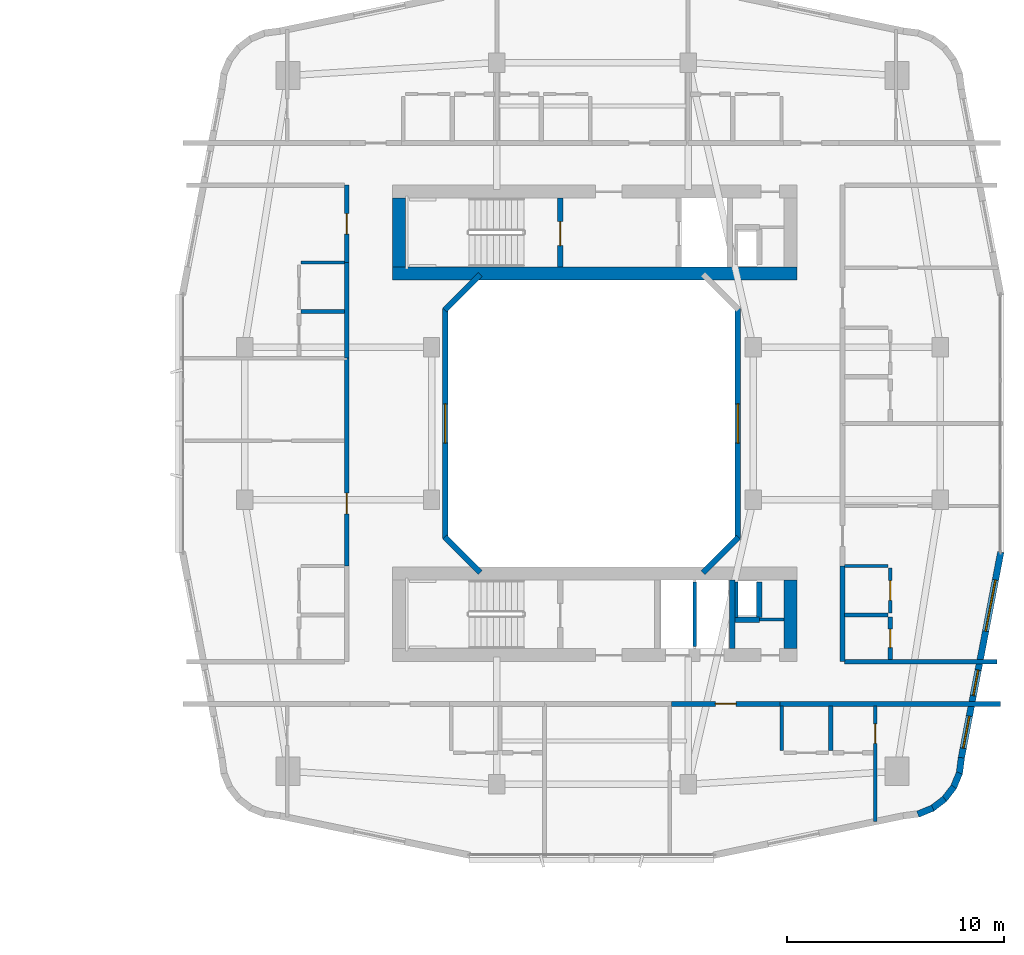
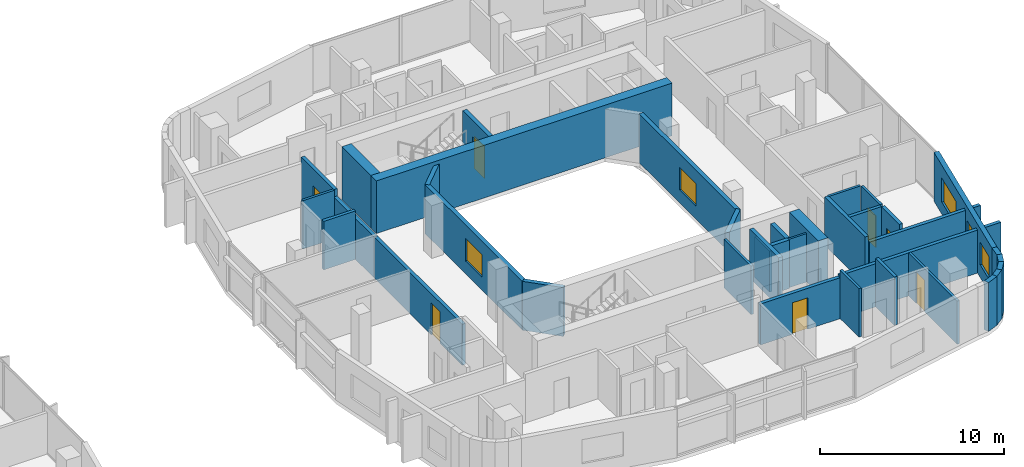
# One storey, part 19 of 27: 37 walls, 7 doors, 5 windows, 12 openings.
"""IFC4 building model written with IfcOpenShell, lengths in metres."""

from ifc_helpers import new_model, si_unit, derived_unit, direction, frame, frame_2d, origin, place, context, subcontext, project, spatial, rectangle, extrude, material, layer, layer_set, type_object, element, fill, save


model = new_model("IFC4")

# Units and contexts
model_context = context("Model", 3, precision=1e-05, world=origin(), true_north=direction((0.0, 1.0)))
body_context = subcontext(model_context, "Body", "Model", "MODEL_VIEW")
ifc_project = project(units=[si_unit("LENGTHUNIT", "METRE"), si_unit("AREAUNIT", "SQUARE_METRE"), si_unit("VOLUMEUNIT", "CUBIC_METRE"), si_unit("PLANEANGLEUNIT", "RADIAN"), si_unit("MASSUNIT", "GRAM", prefix="KILO"), derived_unit("THERMALTRANSMITTANCEUNIT", [(si_unit("POWERUNIT", "WATT"), 1), (si_unit("LENGTHUNIT", "METRE"), -2), (si_unit("THERMODYNAMICTEMPERATUREUNIT", "KELVIN"), -1)])], contexts=[model_context])

# Site, building, storey
site_placement = place(None, origin())
site = spatial("IfcSite", under=ifc_project, at=site_placement, CompositionType="ELEMENT")
building_placement = place(site_placement, origin())
building = spatial("IfcBuilding", under=site, at=building_placement, Name="Kivonza Crest Hotel", CompositionType="ELEMENT")
storey_placement = place(building_placement, frame((0.0, 0.0, 34.5)))
storey = spatial("IfcBuildingStorey", under=building, at=storey_placement, Name="L08", CompositionType="ELEMENT", Elevation=34.5)

# Wall
ifc_material_1 = material(Name="Autoclaved aerated concrete blockwork", Category="masonry")
ifc_layer_1 = layer(ifc_material_1, 0.219970703125)
ifc_layer_set_1 = layer_set([ifc_layer_1], Name="Autoclaved aerated concrete blockwork")
wall_type_1 = type_object("IfcWallType", Name="WL-ACOU-220", PredefinedType="SOLIDWALL", material=ifc_layer_set_1)
wall_1_placement = place(storey_placement, frame((85.6298828125, 12.10009765625, 0.0), z_axis=(0.0, 0.0, 1.0), x_axis=(1.0, 0.0, 0.0)))
element("IfcWall", 1, at=wall_1_placement, inside=storey, type_object=wall_type_1, Name="L08 interior partition WA-L08-A05-RCORR", PredefinedType="SOLIDWALL", context=body_context, shape_type="SweptSolid", body=[
    extrude(rectangle(XDim=10.130126953125, YDim=0.219970703125, at=frame_2d((5.06494140625, 0.0))), origin(), (0.0, 0.0, 1.0), 2.864990234375),
])

# Wall, opening, door
wall_2_placement = place(storey_placement, frame((80.6298828125, 12.10009765625, 0.0), z_axis=(0.0, 0.0, 1.0), x_axis=(1.0, 0.0, 0.0)))
wall_2 = element("IfcWall", 2, at=wall_2_placement, inside=storey, type_object=wall_type_1, Name="L08 interior partition WA-L08-A05-MCORR", PredefinedType="SOLIDWALL", context=body_context, shape_type="SweptSolid", body=[
    extrude(rectangle(XDim=5.0, YDim=0.219970703125, at=frame_2d((2.5, 0.0))), origin(), (0.0, 0.0, 1.0), 2.72509765625),
])
opening_1_placement = place(wall_2_placement, frame((2.02490234375, 0.0, 0.0)))
opening_1 = element("IfcOpeningElement", 3, at=opening_1_placement, cuts=wall_2, Name="Opening DU-60", PredefinedType="OPENING", context=body_context, shape_type="SweptSolid", body=[
    extrude(rectangle(XDim=0.949951171875, YDim=2.10009765625, at=frame_2d((0.47509765625, 1.050048828125))), frame((0.0, 0.1201171875, 0.0), z_axis=(0.0, -1.0, 0.0), x_axis=(1.0, 0.0, 0.0)), (0.0, 0.0, 1.0), 0.239990234375),
])
ifc_material_2 = material(Name="Hardwood timber oak", Category="wood")
door_type_1 = type_object("IfcDoorType", Name="DR-UNIT-950", OperationType="NOTDEFINED", PredefinedType="DOOR", material=ifc_material_2)
door_1_placement = place(opening_1_placement, frame((0.949951171875, 0.0, 0.0), z_axis=(0.0, 0.0, 1.0), x_axis=(-1.0, 0.0, 0.0)))
door_1 = element("IfcDoor", 4, at=door_1_placement, inside=storey, type_object=door_type_1, Name="L08 A05 apartment entrance fire door", OperationType="SINGLE_SWING_LEFT", OverallHeight=2.10009765625, OverallWidth=0.949951171875, PredefinedType="DOOR", context=body_context, shape_type="SweptSolid", body=[
    extrude(rectangle(XDim=0.949951171875, YDim=2.10009765625, at=frame_2d((0.47509765625, 1.050048828125))), frame((0.0, 0.02490234375, 0.0), z_axis=(0.0, -1.0, 0.0), x_axis=(1.0, 0.0, 0.0)), (0.0, 0.0, 1.0), 0.050048828125),
])
fill(opening_1, door_1)

wall_3_placement = place(storey_placement, frame((65.699951171875, 18.43994140625, 0.0), z_axis=(0.0, 0.0, 1.0), x_axis=(0.0, 1.0, 0.0)))
wall_3 = element("IfcWall", 5, at=wall_3_placement, inside=storey, type_object=wall_type_1, Name="L08 interior partition WA-L08-A06-MCORR", PredefinedType="SOLIDWALL", context=body_context, shape_type="SweptSolid", body=[
    extrude(rectangle(XDim=9.56005859375, YDim=0.219970703125, at=frame_2d((4.780029296875, 0.0))), origin(), (0.0, 0.0, 1.0), 2.72509765625),
])
opening_2_placement = place(wall_3_placement, frame((2.405029296875, 0.0, 0.0)))
opening_2 = element("IfcOpeningElement", 6, at=opening_2_placement, cuts=wall_3, Name="Opening DU-60", PredefinedType="OPENING", context=body_context, shape_type="SweptSolid", body=[
    extrude(rectangle(XDim=0.949951171875, YDim=2.10009765625, at=frame_2d((0.47509765625, 1.050048828125))), frame((0.0, 0.1201171875, 0.0), z_axis=(0.0, -1.0, 0.0), x_axis=(1.0, 0.0, 0.0)), (0.0, 0.0, 1.0), 0.239990234375),
])
door_2_placement = place(opening_2_placement, origin())
door_2 = element("IfcDoor", 7, at=door_2_placement, inside=storey, type_object=door_type_1, Name="L08 A06 apartment entrance fire door", OperationType="SINGLE_SWING_RIGHT", OverallHeight=2.10009765625, OverallWidth=0.949951171875, PredefinedType="DOOR", context=body_context, shape_type="SweptSolid", body=[
    extrude(rectangle(XDim=0.949951171875, YDim=2.10009765625, at=frame_2d((0.47509765625, 1.050048828125))), frame((0.0, 0.02490234375, 0.0), z_axis=(0.0, -1.0, 0.0), x_axis=(1.0, 0.0, 0.0)), (0.0, 0.0, 1.0), 0.050048828125),
])
fill(opening_2, door_2)

# Wall
wall_4_placement = place(storey_placement, frame((65.699951171875, 28.0, 0.0), z_axis=(0.0, 0.0, 1.0), x_axis=(0.0, 1.0, 0.0)))
element("IfcWall", 8, at=wall_4_placement, inside=storey, type_object=wall_type_1, Name="L08 interior partition WA-L08-A07-BCORR", PredefinedType="SOLIDWALL", context=body_context, shape_type="SweptSolid", body=[
    extrude(rectangle(XDim=4.39990234375, YDim=0.219970703125, at=frame_2d((2.199951171875, 0.0))), origin(), (0.0, 0.0, 1.0), 2.72509765625),
])

# Wall, opening, door
wall_5_placement = place(storey_placement, frame((65.699951171875, 32.39990234375, 0.0), z_axis=(0.0, 0.0, 1.0), x_axis=(0.0, 1.0, 0.0)))
wall_5 = element("IfcWall", 9, at=wall_5_placement, inside=storey, type_object=wall_type_1, Name="L08 interior partition WA-L08-A07-MCORR", PredefinedType="SOLIDWALL", context=body_context, shape_type="SweptSolid", body=[
    extrude(rectangle(XDim=3.56005859375, YDim=0.219970703125, at=frame_2d((1.780029296875, 0.0))), origin(), (0.0, 0.0, 1.0), 3.219970703125),
])
opening_3_placement = place(wall_5_placement, frame((1.304931640625, 0.0, 0.0)))
opening_3 = element("IfcOpeningElement", 10, at=opening_3_placement, cuts=wall_5, Name="Opening DU-60", PredefinedType="OPENING", context=body_context, shape_type="SweptSolid", body=[
    extrude(rectangle(XDim=0.949951171875, YDim=2.10009765625, at=frame_2d((0.47509765625, 1.050048828125))), frame((0.0, 0.1201171875, 0.0), z_axis=(0.0, -1.0, 0.0), x_axis=(1.0, 0.0, 0.0)), (0.0, 0.0, 1.0), 0.239990234375),
])
door_3_placement = place(opening_3_placement, origin())
door_3 = element("IfcDoor", 11, at=door_3_placement, inside=storey, type_object=door_type_1, Name="L08 A07 apartment entrance fire door", OperationType="SINGLE_SWING_LEFT", OverallHeight=2.10009765625, OverallWidth=0.949951171875, PredefinedType="DOOR", context=body_context, shape_type="SweptSolid", body=[
    extrude(rectangle(XDim=0.949951171875, YDim=2.10009765625, at=frame_2d((0.47509765625, 1.050048828125))), frame((0.0, 0.02490234375, 0.0), z_axis=(0.0, -1.0, 0.0), x_axis=(1.0, 0.0, 0.0)), (0.0, 0.0, 1.0), 0.050048828125),
])
fill(opening_3, door_3)

# Walls
wall_6_placement = place(storey_placement, frame((88.60009765625, 14.0400390625, 0.0), z_axis=(0.0, 0.0, 1.0), x_axis=(1.0, 0.0, 0.0)))
element("IfcWall", 12, at=wall_6_placement, inside=storey, type_object=wall_type_1, Name="L08 interior partition WA-L08-T2E-ENDS", PredefinedType="SOLIDWALL", context=body_context, shape_type="SweptSolid", body=[
    extrude(rectangle(XDim=7.0, YDim=0.219970703125, at=frame_2d((3.5, 0.0))), origin(), (0.0, 0.0, 1.0), 2.864990234375),
])
wall_7_placement = place(storey_placement, frame((88.5, 14.0400390625, 0.0), z_axis=(0.0, 0.0, 1.0), x_axis=(0.0, 1.0, 0.0)))
element("IfcWall", 13, at=wall_7_placement, inside=storey, type_object=wall_type_1, Name="L08 interior partition WA-L08-A08-BCORR", PredefinedType="SOLIDWALL", context=body_context, shape_type="SweptSolid", body=[
    extrude(rectangle(XDim=4.39990234375, YDim=0.219970703125, at=frame_2d((2.199951171875, 0.0))), origin(), (0.0, 0.0, 1.0), 3.219970703125),
])
ifc_material_3 = material(Name="Concrete C60/75", Category="concrete")
ifc_layer_2 = layer(ifc_material_3, 0.60009765625)
ifc_layer_set_2 = layer_set([ifc_layer_2], Name="Concrete C60/75")
wall_type_2 = type_object("IfcWallType", Name="WL-CORE-600", PredefinedType="SHEAR", material=ifc_layer_set_2)
wall_8_placement = place(storey_placement, frame((67.800048828125, 31.89990234375, 0.0), z_axis=(0.0, 0.0, 1.0), x_axis=(1.0, 0.0, 0.0)))
element("IfcWall", 14, at=wall_8_placement, inside=storey, type_object=wall_type_2, Name="Core wall T2-N South L08", PredefinedType="SHEAR", context=body_context, shape_type="SweptSolid", body=[
    extrude(rectangle(XDim=18.599853515625, YDim=0.60009765625, at=frame_2d((9.2998046875, 0.0))), origin(), (0.0, 0.0, 1.0), 3.5),
])
for number, where, z_axis, x_axis, name in (
    (15, (68.10009765625, 32.199951171875, 0.0), (0.0, 0.0, 1.0), (0.0, 1.0, 0.0), "Core wall T2-N West L08"),
    (16, (86.10009765625, 14.639892578125, 0.0), (0.0, 0.0, 1.0), (0.0, 1.0, 0.0), "Core wall T2-S East L08"),
):
    element("IfcWall", number, at=place(storey_placement, frame(where, z_axis=z_axis, x_axis=x_axis)), inside=storey, type_object=wall_type_2, Name=name, PredefinedType="SHEAR", context=body_context, shape_type="SweptSolid", body=[
        extrude(rectangle(XDim=3.16015625, YDim=0.60009765625, at=frame_2d((1.580078125, 0.0))), origin(), (0.0, 0.0, 1.0), 3.5),
    ])
ifc_material_4 = material(Name="Precast concrete C40/50", Category="concrete")
ifc_layer_3 = layer(ifc_material_4, 0.260009765625)
ifc_layer_set_3 = layer_set([ifc_layer_3], Name="Precast concrete C40/50")
wall_type_3 = type_object("IfcWallType", Name="WL-EXT-260", PredefinedType="STANDARD", material=ifc_layer_set_3)
wall_9_placement = place(storey_placement, frame((82.08203125, 18.137939453125, 0.0), z_axis=(0.0, 0.0, 1.0), x_axis=(0.707106781187, 0.707106781187, 0.0)))
element("IfcWall", 17, at=wall_9_placement, inside=storey, type_object=wall_type_3, Name="L08 T2 light-well exterior wall 2", PredefinedType="STANDARD", context=body_context, shape_type="SweptSolid", body=[
    extrude(rectangle(XDim=2.310791015625, YDim=0.260009765625, at=frame_2d((1.1552734375, 0.0))), origin(), (0.0, 0.0, 1.0), 3.25),
])

# Wall, opening, window
wall_10_placement = place(storey_placement, frame((83.68994140625, 19.7099609375, 0.0), z_axis=(0.0, 0.0, 1.0), x_axis=(0.0, 1.0, 0.0)))
wall_10 = element("IfcWall", 18, at=wall_10_placement, inside=storey, type_object=wall_type_3, Name="L08 T2 light-well exterior wall 3", PredefinedType="STANDARD", context=body_context, shape_type="SweptSolid", body=[
    extrude(rectangle(XDim=10.580078125, YDim=0.260009765625, at=frame_2d((5.2900390625, 0.0))), origin(), (0.0, 0.0, 1.0), 3.25),
])
opening_4_placement = place(wall_10_placement, frame((4.389892578125, 0.0, 0.85009765625)))
opening_4 = element("IfcOpeningElement", 19, at=opening_4_placement, cuts=wall_10, Name="Opening WN-03", PredefinedType="OPENING", context=body_context, shape_type="SweptSolid", body=[
    extrude(rectangle(XDim=1.800048828125, YDim=1.5, at=frame_2d((0.89990234375, 0.75))), frame((0.0, 0.14013671875, 0.0), z_axis=(0.0, -1.0, 0.0), x_axis=(1.0, 0.0, 0.0)), (0.0, 0.0, 1.0), 0.280029296875),
])
ifc_material_5 = material(Name="Thermally broken bronze aluminium and low-E double glazing", Category="aluminium")
window_type_1 = type_object("IfcWindowType", Name="WN-180x150", PartitioningType="DOUBLE_PANEL_VERTICAL", PredefinedType="WINDOW", material=ifc_material_5)
window_1_placement = place(opening_4_placement, origin())
window_1 = element("IfcWindow", 20, at=window_1_placement, inside=storey, type_object=window_type_1, Name="L08 T2 light-well window 3", OverallHeight=1.5, OverallWidth=1.800048828125, PartitioningType="SINGLE_PANEL", PredefinedType="WINDOW", context=body_context, shape_type="SweptSolid", body=[
    extrude(rectangle(XDim=1.800048828125, YDim=1.5, at=frame_2d((0.89990234375, 0.75))), frame((0.0, 0.030029296875, 0.0), z_axis=(0.0, -1.0, 0.0), x_axis=(1.0, 0.0, 0.0)), (0.0, 0.0, 1.0), 0.06005859375),
])
fill(opening_4, window_1)

# Wall
wall_11_placement = place(storey_placement, frame((71.837890625, 31.862060546875, 0.0), z_axis=(0.0, 0.0, 1.0), x_axis=(-0.707053950914, -0.707159607512, 0.0)))
element("IfcWall", 21, at=wall_11_placement, inside=storey, type_object=wall_type_3, Name="L08 T2 light-well exterior wall 6", PredefinedType="STANDARD", context=body_context, shape_type="SweptSolid", body=[
    extrude(rectangle(XDim=2.310791015625, YDim=0.260009765625, at=frame_2d((1.1552734375, 0.0))), origin(), (0.0, 0.0, 1.0), 3.25),
])

# Wall, opening, window
wall_12_placement = place(storey_placement, frame((70.22998046875, 30.2900390625, 0.0), z_axis=(0.0, 0.0, 1.0), x_axis=(0.0, -1.0, 0.0)))
wall_12 = element("IfcWall", 22, at=wall_12_placement, inside=storey, type_object=wall_type_3, Name="L08 T2 light-well exterior wall 7", PredefinedType="STANDARD", context=body_context, shape_type="SweptSolid", body=[
    extrude(rectangle(XDim=10.580078125, YDim=0.260009765625, at=frame_2d((5.2900390625, 0.0))), origin(), (0.0, 0.0, 1.0), 3.25),
])
opening_5_placement = place(wall_12_placement, frame((4.389892578125, 0.0, 0.85009765625)))
opening_5 = element("IfcOpeningElement", 23, at=opening_5_placement, cuts=wall_12, Name="Opening WN-03", PredefinedType="OPENING", context=body_context, shape_type="SweptSolid", body=[
    extrude(rectangle(XDim=1.800048828125, YDim=1.5, at=frame_2d((0.89990234375, 0.75))), frame((0.0, 0.14013671875, 0.0), z_axis=(0.0, -1.0, 0.0), x_axis=(1.0, 0.0, 0.0)), (0.0, 0.0, 1.0), 0.280029296875),
])
window_2_placement = place(opening_5_placement, origin())
window_2 = element("IfcWindow", 24, at=window_2_placement, inside=storey, type_object=window_type_1, Name="L08 T2 light-well window 7", OverallHeight=1.5, OverallWidth=1.800048828125, PartitioningType="SINGLE_PANEL", PredefinedType="WINDOW", context=body_context, shape_type="SweptSolid", body=[
    extrude(rectangle(XDim=1.800048828125, YDim=1.5, at=frame_2d((0.89990234375, 0.75))), frame((0.0, 0.030029296875, 0.0), z_axis=(0.0, -1.0, 0.0), x_axis=(1.0, 0.0, 0.0)), (0.0, 0.0, 1.0), 0.06005859375),
])
fill(opening_5, window_2)

# Walls
wall_13_placement = place(storey_placement, frame((70.2041015625, 19.77197265625, 0.0), z_axis=(0.0, 0.0, 1.0), x_axis=(0.707053950914, -0.707159607512, 0.0)))
element("IfcWall", 25, at=wall_13_placement, inside=storey, type_object=wall_type_3, Name="L08 T2 light-well exterior wall 8", PredefinedType="STANDARD", context=body_context, shape_type="SweptSolid", body=[
    extrude(rectangle(XDim=2.310791015625, YDim=0.260009765625, at=frame_2d((1.1552734375, 0.0))), origin(), (0.0, 0.0, 1.0), 3.25),
])
ifc_layer_4 = layer(ifc_material_4, 0.300048828125)
ifc_layer_set_4 = layer_set([ifc_layer_4], Name="Precast concrete C40/50")
wall_type_4 = type_object("IfcWallType", Name="WL-EXT-300", PredefinedType="STANDARD", material=ifc_layer_set_4)
for number, where, z_axis, x_axis, name in (
    (26, (91.965087890625, 7.02392578125, 0.0), (0.0, 0.0, 1.0), (0.923521684703, 0.383546213491, 0.0), "L08 T2 exterior insulated wall 11"),
    (27, (92.60888671875, 7.279052734375, 0.0), (0.0, 0.0, 1.0), (0.79363269798, 0.608397189915, 0.0), "L08 T2 exterior insulated wall 12"),
    (28, (93.166015625, 7.69091796875, 0.0), (0.0, 0.0, 1.0), (0.608603261071, 0.793474681772, 0.0), "L08 T2 exterior insulated wall 13"),
):
    element("IfcWall", number, at=place(storey_placement, frame(where, z_axis=z_axis, x_axis=x_axis)), inside=storey, type_object=wall_type_4, Name=name, PredefinedType="STANDARD", context=body_context, shape_type="SweptSolid", body=[
        extrude(rectangle(XDim=0.74609375, YDim=0.300048828125, at=frame_2d((0.373046875, 0.0))), origin(), (0.0, 0.0, 1.0), 3.25),
    ])
wall_14_placement = place(storey_placement, frame((93.595947265625, 8.23388671875, 0.0), z_axis=(0.0, 0.0, 1.0), x_axis=(0.383430326427, 0.923569805037, 0.0)))
element("IfcWall", 29, at=wall_14_placement, inside=storey, type_object=wall_type_4, Name="L08 T2 exterior insulated wall 14", PredefinedType="STANDARD", context=body_context, shape_type="SweptSolid", body=[
    extrude(rectangle(XDim=0.746337890625, YDim=0.300048828125, at=frame_2d((0.373046875, 0.0))), origin(), (0.0, 0.0, 1.0), 3.25),
])
wall_15_placement = place(storey_placement, frame((93.873046875, 8.868896484375, 0.0), z_axis=(0.0, 0.0, 1.0), x_axis=(0.129339184068, 0.991600411186, 0.0)))
element("IfcWall", 30, at=wall_15_placement, inside=storey, type_object=wall_type_4, Name="L08 T2 exterior insulated wall 15", PredefinedType="STANDARD", context=body_context, shape_type="SweptSolid", body=[
    extrude(rectangle(XDim=0.764404296875, YDim=0.300048828125, at=frame_2d((0.38232421875, 0.0))), origin(), (0.0, 0.0, 1.0), 3.25),
])

# Wall, openings, windows
wall_16_placement = place(storey_placement, frame((93.970947265625, 9.6201171875, 0.0), z_axis=(0.0, 0.0, 1.0), x_axis=(0.188087874316, 0.982152203854, 0.0)))
wall_16 = element("IfcWall", 31, at=wall_16_placement, inside=storey, type_object=wall_type_4, Name="L08 T2 exterior insulated wall 16", PredefinedType="STANDARD", context=body_context, shape_type="SweptSolid", body=[
    extrude(rectangle(XDim=9.6337890625, YDim=0.300048828125, at=frame_2d((4.81689453125, 0.0))), origin(), (0.0, 0.0, 1.0), 3.25),
])
opening_6_placement = place(wall_16_placement, frame((0.451904296875, 0.0, 0.85009765625)))
opening_6 = element("IfcOpeningElement", 32, at=opening_6_placement, cuts=wall_16, Name="Opening WN-02", PredefinedType="OPENING", context=body_context, shape_type="SweptSolid", body=[
    extrude(rectangle(XDim=1.5, YDim=1.5, at=frame_2d((0.75, 0.75))), frame((0.0, 0.16015625, 0.0), z_axis=(0.0, -1.0, 0.0), x_axis=(1.0, 0.0, 0.0)), (0.0, 0.0, 1.0), 0.320068359375),
])
opening_7_placement = place(wall_16_placement, frame((2.9130859375, 0.0, 0.85009765625)))
opening_7 = element("IfcOpeningElement", 33, at=opening_7_placement, cuts=wall_16, Name="Opening WN-01", PredefinedType="OPENING", context=body_context, shape_type="SweptSolid", body=[
    extrude(rectangle(XDim=1.199951171875, YDim=1.5, at=frame_2d((0.60009765625, 0.75))), frame((0.0, 0.16015625, 0.0), z_axis=(0.0, -1.0, 0.0), x_axis=(1.0, 0.0, 0.0)), (0.0, 0.0, 1.0), 0.320068359375),
])
opening_8_placement = place(wall_16_placement, frame((5.927978515625, 0.0, 0.800048828125)))
opening_8 = element("IfcOpeningElement", 34, at=opening_8_placement, cuts=wall_16, Name="Opening WN-05", PredefinedType="OPENING", context=body_context, shape_type="SweptSolid", body=[
    extrude(rectangle(XDim=2.39990234375, YDim=1.60009765625, at=frame_2d((1.199951171875, 0.800048828125))), frame((0.0, 0.16015625, 0.0), z_axis=(0.0, -1.0, 0.0), x_axis=(1.0, 0.0, 0.0)), (0.0, 0.0, 1.0), 0.320068359375),
])
window_type_2 = type_object("IfcWindowType", Name="WN-120x150", PartitioningType="SINGLE_PANEL", PredefinedType="WINDOW", material=ifc_material_5)
window_3_placement = place(opening_7_placement, origin())
window_3 = element("IfcWindow", 35, at=window_3_placement, inside=storey, type_object=window_type_2, Name="L08 T2 facade window 16 bay 2", OverallHeight=1.5, OverallWidth=1.199951171875, PartitioningType="SINGLE_PANEL", PredefinedType="WINDOW", context=body_context, shape_type="SweptSolid", body=[
    extrude(rectangle(XDim=1.199951171875, YDim=1.5, at=frame_2d((0.60009765625, 0.75))), frame((0.0, 0.030029296875, 0.0), z_axis=(0.0, -1.0, 0.0), x_axis=(1.0, 0.0, 0.0)), (0.0, 0.0, 1.0), 0.06005859375),
])
fill(opening_7, window_3)
window_type_3 = type_object("IfcWindowType", Name="WN-150x150", PartitioningType="DOUBLE_PANEL_VERTICAL", PredefinedType="WINDOW", material=ifc_material_5)
window_4_placement = place(opening_6_placement, origin())
window_4 = element("IfcWindow", 36, at=window_4_placement, inside=storey, type_object=window_type_3, Name="L08 T2 facade window 16 bay 1", OverallHeight=1.5, OverallWidth=1.5, PartitioningType="SINGLE_PANEL", PredefinedType="WINDOW", context=body_context, shape_type="SweptSolid", body=[
    extrude(rectangle(XDim=1.5, YDim=1.5, at=frame_2d((0.75, 0.75))), frame((0.0, 0.030029296875, 0.0), z_axis=(0.0, -1.0, 0.0), x_axis=(1.0, 0.0, 0.0)), (0.0, 0.0, 1.0), 0.06005859375),
])
fill(opening_6, window_4)
window_type_4 = type_object("IfcWindowType", Name="WN-240x160", PartitioningType="TRIPLE_PANEL_VERTICAL", PredefinedType="WINDOW", material=ifc_material_5)
window_5_placement = place(opening_8_placement, origin())
window_5 = element("IfcWindow", 37, at=window_5_placement, inside=storey, type_object=window_type_4, Name="L08 T2 facade window 16 bay 3", OverallHeight=1.60009765625, OverallWidth=2.39990234375, PartitioningType="SINGLE_PANEL", PredefinedType="WINDOW", context=body_context, shape_type="SweptSolid", body=[
    extrude(rectangle(XDim=2.39990234375, YDim=1.60009765625, at=frame_2d((1.199951171875, 0.800048828125))), frame((0.0, 0.030029296875, 0.0), z_axis=(0.0, -1.0, 0.0), x_axis=(1.0, 0.0, 0.0)), (0.0, 0.0, 1.0), 0.06005859375),
])
fill(opening_8, window_5)

# Walls
ifc_material_6 = material(Name="Concrete blockwork fire-compartment wall", Category="masonry")
ifc_layer_5 = layer(ifc_material_6, 0.25)
ifc_layer_set_5 = layer_set([ifc_layer_5], Name="Concrete blockwork fire-compartment wall")
wall_type_5 = type_object("IfcWallType", Name="WL-FIRE-250", PredefinedType="SOLIDWALL", material=ifc_layer_set_5)
wall_17_placement = place(storey_placement, frame((84.679931640625, 16.080078125, 0.0), z_axis=(0.0, 0.0, 1.0), x_axis=(0.0, 1.0, 0.0)))
element("IfcWall", 38, at=wall_17_placement, inside=storey, type_object=wall_type_5, Name="L08 interior partition WA-L08-T2-S-MEPR-E", PredefinedType="SOLIDWALL", context=body_context, shape_type="SweptSolid", body=[
    extrude(rectangle(XDim=1.619873046875, YDim=0.25, at=frame_2d((0.81005859375, 0.0))), origin(), (0.0, 0.0, 1.0), 3.219970703125),
])
wall_18_placement = place(storey_placement, frame((83.550048828125, 15.97998046875, 0.0), z_axis=(0.0, 0.0, 1.0), x_axis=(1.0, 0.0, 0.0)))
element("IfcWall", 39, at=wall_18_placement, inside=storey, type_object=wall_type_5, Name="L08 interior partition WA-L08-T2-S-MEPR-H", PredefinedType="SOLIDWALL", context=body_context, shape_type="SweptSolid", body=[
    extrude(rectangle(XDim=1.1298828125, YDim=0.25, at=frame_2d((0.56494140625, 0.0))), origin(), (0.0, 0.0, 1.0), 3.219970703125),
])
ifc_material_7 = material(Name="Metal-stud gypsum board partition", Category="gypsum")
ifc_layer_6 = layer(ifc_material_7, 0.125)
ifc_layer_set_6 = layer_set([ifc_layer_6], Name="Metal-stud gypsum board partition")
wall_type_6 = type_object("IfcWallType", Name="WL-PART-125", PredefinedType="PARTITIONING", material=ifc_layer_set_6)
wall_19_placement = place(storey_placement, frame((84.679931640625, 15.97998046875, 0.0), z_axis=(0.0, 0.0, 1.0), x_axis=(1.0, 0.0, 0.0)))
element("IfcWall", 40, at=wall_19_placement, inside=storey, type_object=wall_type_6, Name="L08 interior partition WP-L08-T2-S-T2H", PredefinedType="PARTITIONING", context=body_context, shape_type="SweptSolid", body=[
    extrude(rectangle(XDim=1.1201171875, YDim=0.125, at=frame_2d((0.56005859375, 0.0))), origin(), (0.0, 0.0, 1.0), 3.219970703125),
])
ifc_material_8 = material(Name="Twin-stud acoustic gypsum board partition", Category="gypsum")
ifc_layer_7 = layer(ifc_material_8, 0.14990234375)
ifc_layer_set_7 = layer_set([ifc_layer_7], Name="Twin-stud acoustic gypsum board partition")
wall_type_7 = type_object("IfcWallType", Name="WL-PART-150", PredefinedType="PARTITIONING", material=ifc_layer_set_7)
wall_20_placement = place(storey_placement, frame((83.6298828125, 16.080078125, 0.0), z_axis=(0.0, 0.0, 1.0), x_axis=(0.0, 1.0, 0.0)))
element("IfcWall", 41, at=wall_20_placement, inside=storey, type_object=wall_type_7, Name="L08 interior partition WA-L08-T2-S-MEPR-W", PredefinedType="PARTITIONING", context=body_context, shape_type="SweptSolid", body=[
    extrude(rectangle(XDim=1.619873046875, YDim=0.14990234375, at=frame_2d((0.81005859375, 0.0))), origin(), (0.0, 0.0, 1.0), 2.72509765625),
])
wall_21_placement = place(storey_placement, frame((81.699951171875, 14.739990234375, 0.0), z_axis=(0.0, 0.0, 1.0), x_axis=(0.0, 1.0, 0.0)))
element("IfcWall", 42, at=wall_21_placement, inside=storey, type_object=wall_type_7, Name="L08 interior partition WP-L08-T2-S-BSH-1", PredefinedType="PARTITIONING", context=body_context, shape_type="SweptSolid", body=[
    extrude(rectangle(XDim=2.9599609375, YDim=0.14990234375, at=frame_2d((1.47998046875, 0.0))), origin(), (0.0, 0.0, 1.0), 3.219970703125),
])

# Wall, opening, door
wall_22_placement = place(storey_placement, frame((90.010009765625, 6.68896484375, 0.0), z_axis=(0.0, 0.0, 1.0), x_axis=(0.0, 1.0, 0.0)))
wall_22 = element("IfcWall", 43, at=wall_22_placement, inside=storey, type_object=wall_type_7, Name="L08 interior partition WP-L08-A05-BDW2", PredefinedType="PARTITIONING", context=body_context, shape_type="SweptSolid", body=[
    extrude(rectangle(XDim=5.31103515625, YDim=0.14990234375, at=frame_2d((2.655517578125, 0.0))), origin(), (0.0, 0.0, 1.0), 2.864990234375),
])
opening_9_placement = place(wall_22_placement, frame((3.590087890625, 0.0, 0.0)))
opening_9 = element("IfcOpeningElement", 44, at=opening_9_placement, cuts=wall_22, Name="Opening DI-90", PredefinedType="OPENING", context=body_context, shape_type="SweptSolid", body=[
    extrude(rectangle(XDim=0.89990234375, YDim=2.10009765625, at=frame_2d((0.449951171875, 1.050048828125))), frame((0.0, 0.0849609375, 0.0), z_axis=(0.0, -1.0, 0.0), x_axis=(1.0, 0.0, 0.0)), (0.0, 0.0, 1.0), 0.169921875),
])
door_type_2 = type_object("IfcDoorType", Name="DR-INT-900", OperationType="NOTDEFINED", PredefinedType="DOOR", material=ifc_material_2)
door_4_placement = place(opening_9_placement, origin())
door_4 = element("IfcDoor", 45, at=door_4_placement, inside=storey, type_object=door_type_2, Name="L08 A05 bedroom 2 door", OperationType="SINGLE_SWING_LEFT", OverallHeight=2.10009765625, OverallWidth=0.89990234375, PredefinedType="DOOR", context=body_context, shape_type="SweptSolid", body=[
    extrude(rectangle(XDim=0.89990234375, YDim=2.10009765625, at=frame_2d((0.449951171875, 1.050048828125))), frame((0.0, 0.02490234375, 0.0), z_axis=(0.0, -1.0, 0.0), x_axis=(1.0, 0.0, 0.0)), (0.0, 0.0, 1.0), 0.050048828125),
])
fill(opening_9, door_4)

# Walls
wall_23_placement = place(storey_placement, frame((85.7099609375, 9.949951171875, 0.0), z_axis=(0.0, 0.0, 1.0), x_axis=(0.0, 1.0, 0.0)))
element("IfcWall", 46, at=wall_23_placement, inside=storey, type_object=wall_type_7, Name="L08 interior partition WP-L08-A05-KF", PredefinedType="PARTITIONING", context=body_context, shape_type="SweptSolid", body=[
    extrude(rectangle(XDim=2.050048828125, YDim=0.14990234375, at=frame_2d((1.02490234375, 0.0))), origin(), (0.0, 0.0, 1.0), 3.219970703125),
])
for number, where, z_axis, x_axis, name in (
    (47, (63.60009765625, 32.39990234375, 0.0), (0.0, 0.0, 1.0), (1.0, 0.0, 0.0), "L08 interior partition WP-L08-A07-KF"),
    (48, (88.60009765625, 18.43994140625, 0.0), (0.0, 0.0, 1.0), (1.0, 0.0, 0.0), "L08 interior partition WP-L08-A08-KF"),
):
    element("IfcWall", number, at=place(storey_placement, frame(where, z_axis=z_axis, x_axis=x_axis)), inside=storey, type_object=wall_type_7, Name=name, PredefinedType="PARTITIONING", context=body_context, shape_type="SweptSolid", body=[
        extrude(rectangle(XDim=2.0, YDim=0.14990234375, at=frame_2d((1.0, 0.0))), origin(), (0.0, 0.0, 1.0), 3.219970703125),
    ])

# Wall, opening, door
wall_24_placement = place(storey_placement, frame((90.699951171875, 16.2900390625, 0.0), z_axis=(0.0, 0.0, 1.0), x_axis=(0.0, 1.0, 0.0)))
wall_24 = element("IfcWall", 49, at=wall_24_placement, inside=storey, type_object=wall_type_7, Name="L08 interior partition WP-L08-A08-KSVC", PredefinedType="PARTITIONING", context=body_context, shape_type="SweptSolid", body=[
    extrude(rectangle(XDim=2.050048828125, YDim=0.14990234375, at=frame_2d((1.02490234375, 0.0))), origin(), (0.0, 0.0, 1.0), 3.219970703125),
])
opening_10_placement = place(wall_24_placement, frame((0.574951171875, 0.0, 0.0)))
opening_10 = element("IfcOpeningElement", 50, at=opening_10_placement, cuts=wall_24, Name="Opening DI-90", PredefinedType="OPENING", context=body_context, shape_type="SweptSolid", body=[
    extrude(rectangle(XDim=0.89990234375, YDim=2.10009765625, at=frame_2d((0.449951171875, 1.050048828125))), frame((0.0, 0.0849609375, 0.0), z_axis=(0.0, -1.0, 0.0), x_axis=(1.0, 0.0, 0.0)), (0.0, 0.0, 1.0), 0.169921875),
])
door_5_placement = place(opening_10_placement, frame((0.89990234375, 0.0, 0.0), z_axis=(0.0, 0.0, 1.0), x_axis=(-1.0, 0.0, 0.0)))
door_5 = element("IfcDoor", 51, at=door_5_placement, inside=storey, type_object=door_type_2, Name="L08 A08 apartment kitchen door", OperationType="SINGLE_SWING_RIGHT", OverallHeight=2.10009765625, OverallWidth=0.89990234375, PredefinedType="DOOR", context=body_context, shape_type="SweptSolid", body=[
    extrude(rectangle(XDim=0.89990234375, YDim=2.10009765625, at=frame_2d((0.449951171875, 1.050048828125))), frame((0.0, 0.02490234375, 0.0), z_axis=(0.0, -1.0, 0.0), x_axis=(1.0, 0.0, 0.0)), (0.0, 0.0, 1.0), 0.050048828125),
])
fill(opening_10, door_5)

# Walls
ifc_material_9 = material(Name="Moisture-resistant plumbing chase partition wall", Category="gypsum")
ifc_layer_8 = layer(ifc_material_9, 0.199951171875)
ifc_layer_set_8 = layer_set([ifc_layer_8], Name="Moisture-resistant plumbing chase partition wall")
wall_type_8 = type_object("IfcWallType", Name="WL-PLUMB-200", PredefinedType="PLUMBINGWALL", material=ifc_layer_set_8)
wall_25_placement = place(storey_placement, frame((87.9599609375, 9.949951171875, 0.0), z_axis=(0.0, 0.0, 1.0), x_axis=(0.0, 1.0, 0.0)))
element("IfcWall", 52, at=wall_25_placement, inside=storey, type_object=wall_type_8, Name="L08 interior partition WW-L08-A05-BK", PredefinedType="PLUMBINGWALL", context=body_context, shape_type="SweptSolid", body=[
    extrude(rectangle(XDim=2.050048828125, YDim=0.199951171875, at=frame_2d((1.02490234375, 0.0))), origin(), (0.0, 0.0, 1.0), 3.219970703125),
])
for number, where, z_axis, x_axis, name in (
    (53, (63.60009765625, 30.14990234375, 0.0), (0.0, 0.0, 1.0), (1.0, 0.0, 0.0), "L08 interior partition WW-L08-A07-BK"),
    (54, (88.60009765625, 16.18994140625, 0.0), (0.0, 0.0, 1.0), (1.0, 0.0, 0.0), "L08 interior partition WW-L08-A08-BK"),
):
    element("IfcWall", number, at=place(storey_placement, frame(where, z_axis=z_axis, x_axis=x_axis)), inside=storey, type_object=wall_type_8, Name=name, PredefinedType="PLUMBINGWALL", context=body_context, shape_type="SweptSolid", body=[
        extrude(rectangle(XDim=2.0, YDim=0.199951171875, at=frame_2d((1.0, 0.0))), origin(), (0.0, 0.0, 1.0), 3.219970703125),
    ])

# Wall, opening, door
wall_26_placement = place(storey_placement, frame((90.699951171875, 14.139892578125, 0.0), z_axis=(0.0, 0.0, 1.0), x_axis=(0.0, 1.0, 0.0)))
wall_26 = element("IfcWall", 55, at=wall_26_placement, inside=storey, type_object=wall_type_8, Name="L08 interior partition WW-L08-A08-BSVC", PredefinedType="PLUMBINGWALL", context=body_context, shape_type="SweptSolid", body=[
    extrude(rectangle(XDim=1.9501953125, YDim=0.199951171875, at=frame_2d((0.97509765625, 0.0))), origin(), (0.0, 0.0, 1.0), 3.219970703125),
])
opening_11_placement = place(wall_26_placement, frame((0.550048828125, 0.0, 0.0)))
opening_11 = element("IfcOpeningElement", 56, at=opening_11_placement, cuts=wall_26, Name="Opening DI-85", PredefinedType="OPENING", context=body_context, shape_type="SweptSolid", body=[
    extrude(rectangle(XDim=0.85009765625, YDim=2.10009765625, at=frame_2d((0.425048828125, 1.050048828125))), frame((0.0, 0.10986328125, 0.0), z_axis=(0.0, -1.0, 0.0), x_axis=(1.0, 0.0, 0.0)), (0.0, 0.0, 1.0), 0.219970703125),
])
door_type_3 = type_object("IfcDoorType", Name="DR-INT-850", OperationType="NOTDEFINED", PredefinedType="DOOR", material=ifc_material_2)
door_6_placement = place(opening_11_placement, frame((0.85009765625, 0.0, 0.0), z_axis=(0.0, 0.0, 1.0), x_axis=(-1.0, 0.0, 0.0)))
door_6 = element("IfcDoor", 57, at=door_6_placement, inside=storey, type_object=door_type_3, Name="L08 A08 apartment bathroom door", OperationType="SINGLE_SWING_LEFT", OverallHeight=2.10009765625, OverallWidth=0.85009765625, PredefinedType="DOOR", context=body_context, shape_type="SweptSolid", body=[
    extrude(rectangle(XDim=0.85009765625, YDim=2.10009765625, at=frame_2d((0.425048828125, 1.050048828125))), frame((0.0, 0.02490234375, 0.0), z_axis=(0.0, -1.0, 0.0), x_axis=(1.0, 0.0, 0.0)), (0.0, 0.0, 1.0), 0.050048828125),
])
fill(opening_11, door_6)

ifc_material_10 = material(Name="Concrete C50/60", Category="concrete")
ifc_layer_9 = layer(ifc_material_10, 0.25)
ifc_layer_set_9 = layer_set([ifc_layer_9], Name="Concrete C50/60")
wall_type_9 = type_object("IfcWallType", Name="WL-SHAFT-250", PredefinedType="STANDARD", material=ifc_layer_set_9)
wall_27_placement = place(storey_placement, frame((75.52490234375, 32.199951171875, 0.0), z_axis=(0.0, 0.0, 1.0), x_axis=(0.0, 1.0, 0.0)))
wall_27 = element("IfcWall", 58, at=wall_27_placement, inside=storey, type_object=wall_type_9, Name="Core shaft wall T2-N STAIR L08", PredefinedType="STANDARD", context=body_context, shape_type="SweptSolid", body=[
    extrude(rectangle(XDim=3.16015625, YDim=0.25, at=frame_2d((1.580078125, 0.0))), origin(), (0.0, 0.0, 1.0), 3.25),
])
opening_12_placement = place(wall_27_placement, frame((0.97998046875, 0.0, 0.0)))
opening_12 = element("IfcOpeningElement", 59, at=opening_12_placement, cuts=wall_27, Name="Opening DF-120", PredefinedType="OPENING", context=body_context, shape_type="SweptSolid", body=[
    extrude(rectangle(XDim=1.10009765625, YDim=2.14990234375, at=frame_2d((0.550048828125, 1.074951171875))), frame((0.0, 0.135009765625, 0.0), z_axis=(0.0, -1.0, 0.0), x_axis=(1.0, 0.0, 0.0)), (0.0, 0.0, 1.0), 0.27001953125),
])
ifc_material_11 = material(Name="Galvanised steel", Category="steel")
door_type_4 = type_object("IfcDoorType", Name="DR-FD120-1100", OperationType="NOTDEFINED", PredefinedType="DOOR", material=ifc_material_11)
door_7_placement = place(opening_12_placement, frame((1.10009765625, 0.0, 0.0), z_axis=(0.0, 0.0, 1.0), x_axis=(-1.0, 0.0, 0.0)))
door_7 = element("IfcDoor", 60, at=door_7_placement, inside=storey, type_object=door_type_4, Name="L08 T2-N stair fire door", OperationType="SINGLE_SWING_LEFT", OverallHeight=2.14990234375, OverallWidth=1.10009765625, PredefinedType="DOOR", context=body_context, shape_type="SweptSolid", body=[
    extrude(rectangle(XDim=1.10009765625, YDim=2.14990234375, at=frame_2d((0.550048828125, 1.074951171875))), frame((0.0, 0.02490234375, 0.0), z_axis=(0.0, -1.0, 0.0), x_axis=(1.0, 0.0, 0.0)), (0.0, 0.0, 1.0), 0.050048828125),
])
fill(opening_12, door_7)

# Wall
wall_28_placement = place(storey_placement, frame((83.425048828125, 14.639892578125, 0.0), z_axis=(0.0, 0.0, 1.0), x_axis=(0.0, 1.0, 0.0)))
element("IfcWall", 61, at=wall_28_placement, inside=storey, type_object=wall_type_9, Name="Core shaft wall T2-S BANK-E L08", PredefinedType="STANDARD", context=body_context, shape_type="SweptSolid", body=[
    extrude(rectangle(XDim=3.16015625, YDim=0.25, at=frame_2d((1.580078125, 0.0))), origin(), (0.0, 0.0, 1.0), 3.25),
])

save(model, "model.ifc")
